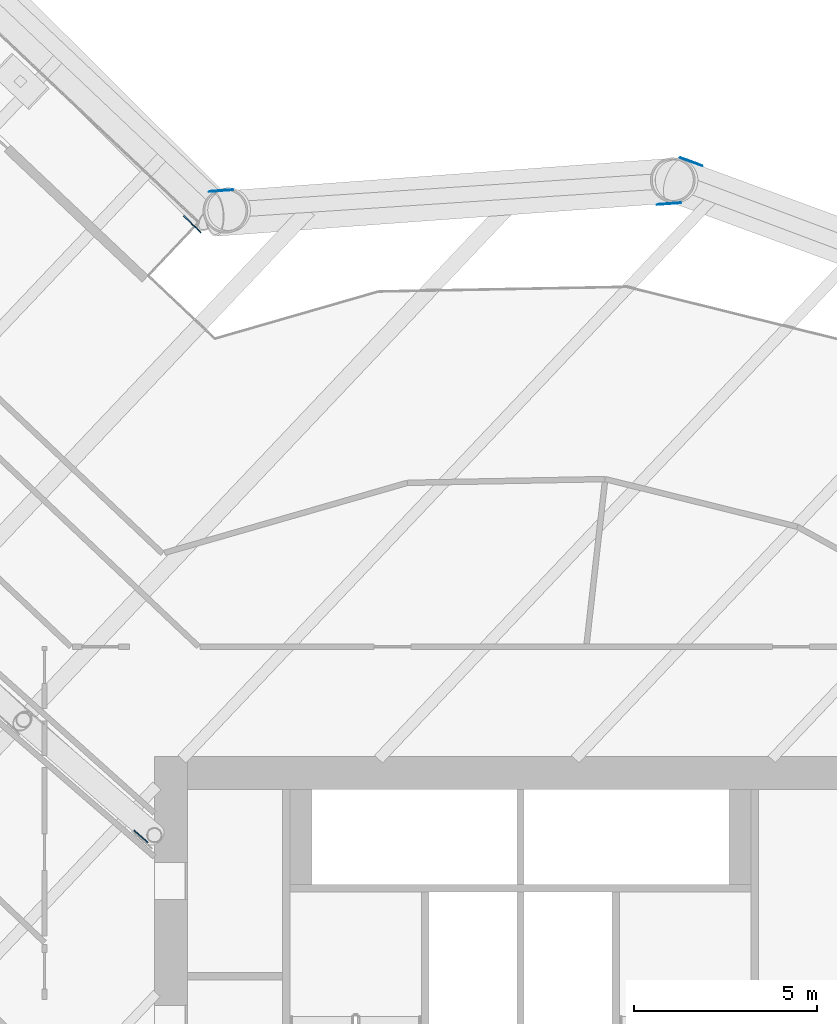
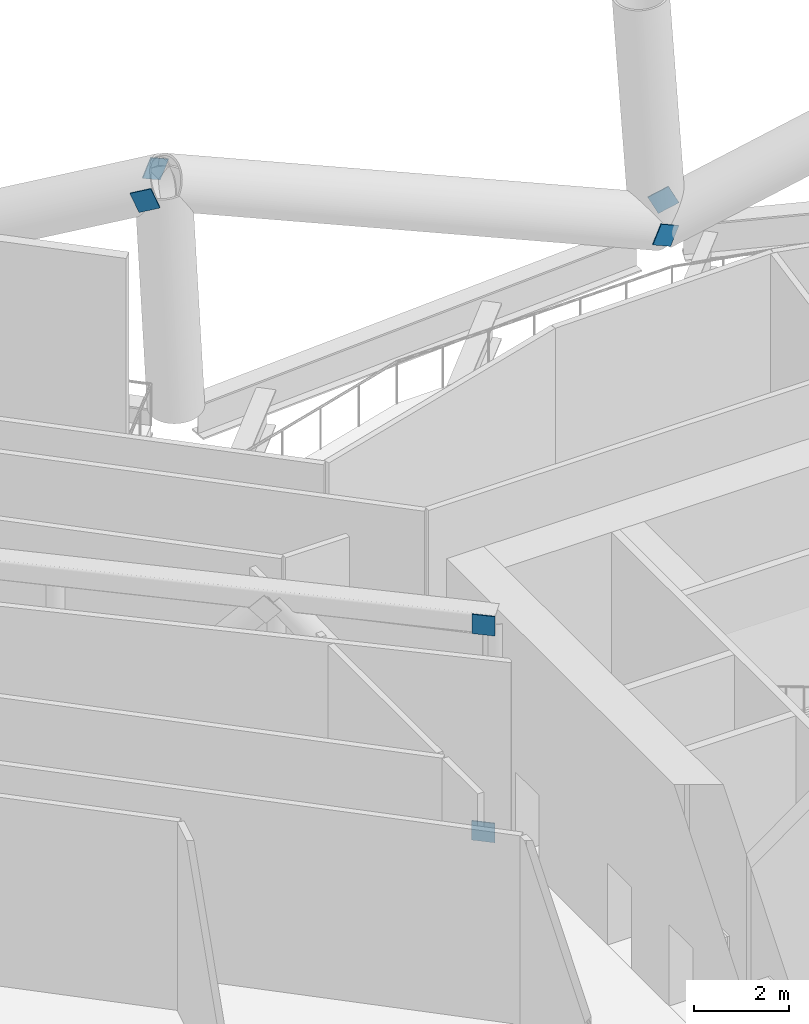
# One storey, part 27 of 39: 6 discrete accessories.
"""IFC4 building model written with IfcOpenShell, lengths in metres."""

from ifc_helpers import new_model, si_unit, direction, frame, origin, origin_2d, place, context, subcontext, project, spatial, rectangle, extrude, material, material_profile, profile_set, type_object, element, save


model = new_model("IFC4")

# Units and contexts
model_context = context("Model", 3, precision=1e-05, world=origin(), true_north=direction((0.0, 1.0)))
body_context = subcontext(model_context, "Body", "Model", "MODEL_VIEW")
ifc_project = project(units=[si_unit("LENGTHUNIT", "METRE"), si_unit("AREAUNIT", "SQUARE_METRE"), si_unit("VOLUMEUNIT", "CUBIC_METRE"), si_unit("PLANEANGLEUNIT", "RADIAN"), si_unit("MASSUNIT", "GRAM", prefix="KILO")], contexts=[model_context])

# Site, building, storey
site_placement = place(None, origin())
site = spatial("IfcSite", under=ifc_project, at=site_placement, CompositionType="ELEMENT")
building_placement = place(site_placement, origin())
building = spatial("IfcBuilding", under=site, at=building_placement, Name="Tarsis Ring Headquarters", CompositionType="ELEMENT")
storey_placement = place(building_placement, frame((0.0, 0.0, 86.800048828125)))
storey = spatial("IfcBuildingStorey", under=building, at=storey_placement, Name="L19", CompositionType="ELEMENT", Elevation=86.800048828125)

# Discrete accessories
ifc_material = material(Name="Structural steel S355", Category="steel")
ifc_material_profile = material_profile(ifc_material, rectangle(XDim=0.02490234375, YDim=0.5, at=origin_2d()), Name="PL 25x500")
ifc_profile_set = profile_set([ifc_material_profile], Name="Structural steel S355")
discrete_accessory_type_1 = type_object("IfcDiscreteAccessoryType", Name="Gusset plate Belt truss 25", PredefinedType="BRACKET", material=ifc_profile_set)
discrete_accessory_1_placement = place(storey_placement, frame((4.454345703125, 29.3212890625, 0.0), z_axis=(0.837642329085, -0.307705345378, 0.451301173221), x_axis=(0.34481746268, 0.938669759517, 0.0)))
element("IfcDiscreteAccessory", 1, at=discrete_accessory_1_placement, inside=storey, type_object=discrete_accessory_type_1, Name="Gusset plate GP4", PredefinedType="BRACKET", context=body_context, shape_type="SweptSolid", body=[
    extrude(rectangle(XDim=0.02490234375, YDim=0.5, at=origin_2d()), origin(), (0.0, 0.0, 1.0), 0.499755859375),
])
for number, where, z_axis, x_axis, name in (
    (2, (4.284912109375, 28.116943359375, 0.0), (-0.901033484747, -0.065440914339, 0.428784498432), (0.072437925012, -0.997372922743, 0.0), "Gusset plate GP4"),
    (3, (-8.4072265625, 28.439453125, 6.0), (0.900844757175, 0.065427207296, -0.429182949353), (-0.072437925012, 0.997372922743, 0.0), "Gusset plate GP4"),
    (4, (-8.80078125, 27.3779296875, 6.0), (-0.649494125643, 0.646075735508, -0.400928328686), (-0.705238609225, -0.708970030438, 0.0), "Gusset plate GP4"),
):
    element("IfcDiscreteAccessory", number, at=place(storey_placement, frame(where, z_axis=z_axis, x_axis=x_axis)), inside=storey, type_object=discrete_accessory_type_1, Name=name, PredefinedType="BRACKET", context=body_context, shape_type="SweptSolid", body=[
        extrude(rectangle(XDim=0.02490234375, YDim=0.5, at=origin_2d()), origin(), (0.0, 0.0, 1.0), 0.5),
    ])
discrete_accessory_type_2 = type_object("IfcDiscreteAccessoryType", Name="Gusset plate Outrigger chord 25", PredefinedType="BRACKET", material=ifc_profile_set)
discrete_accessory_2_placement = place(storey_placement, frame((-10.177734375, 10.65380859375, 0.25390625), z_axis=(-0.745088054645, 0.666966109203, 0.0), x_axis=(-0.666966109203, -0.745088054645, 0.0)))
element("IfcDiscreteAccessory", 5, at=discrete_accessory_2_placement, inside=storey, type_object=discrete_accessory_type_2, Name="Gusset plate GP3", PredefinedType="BRACKET", context=body_context, shape_type="SweptSolid", body=[
    extrude(rectangle(XDim=0.02490234375, YDim=0.5, at=origin_2d()), origin(), (0.0, 0.0, 1.0), 0.5),
])
discrete_accessory_3_placement = place(storey_placement, frame((-10.174560546875, 10.65087890625, 5.5859375), z_axis=(-0.756075720952, 0.654484151212, 0.0), x_axis=(-0.654484151212, -0.756075720952, 0.0)))
element("IfcDiscreteAccessory", 6, at=discrete_accessory_3_placement, inside=storey, type_object=discrete_accessory_type_2, Name="Gusset plate GP3", PredefinedType="BRACKET", context=body_context, shape_type="SweptSolid", body=[
    extrude(rectangle(XDim=0.02490234375, YDim=0.5, at=origin_2d()), origin(), (0.0, 0.0, 1.0), 0.499755859375),
])

save(model, "model.ifc")
